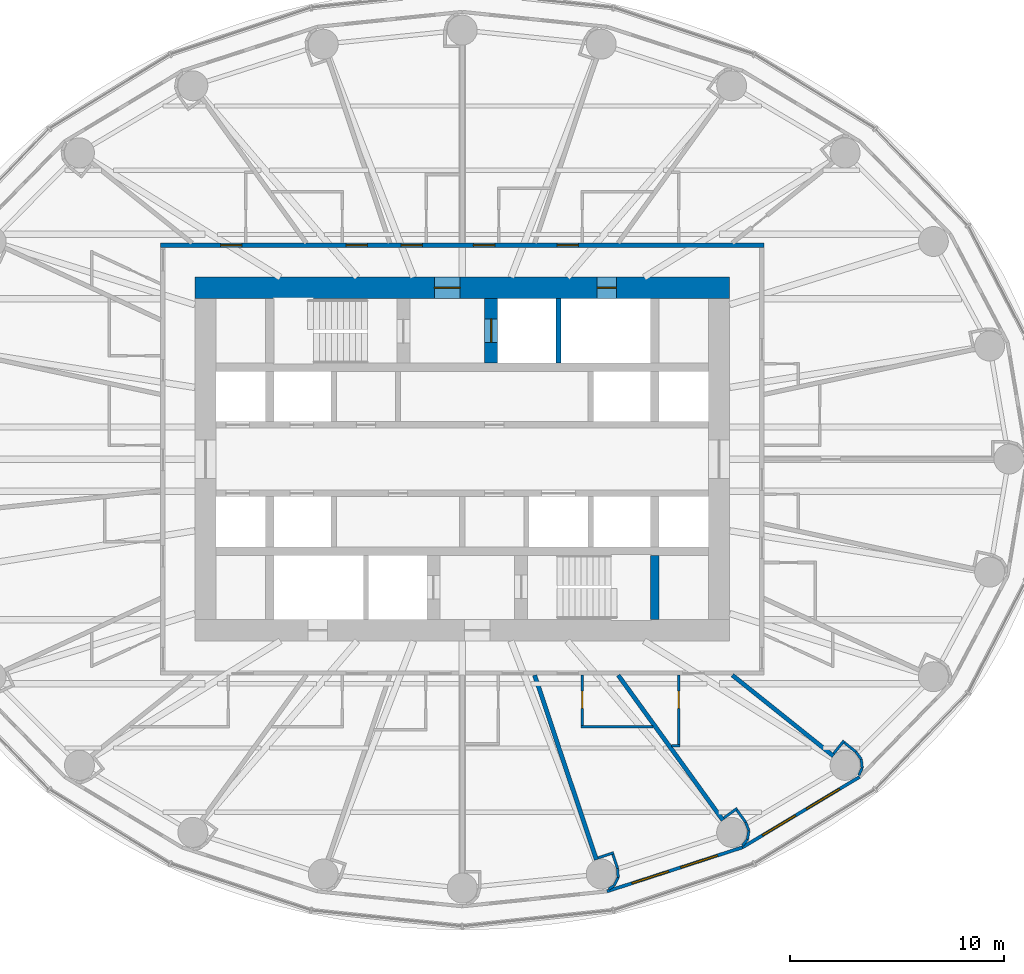
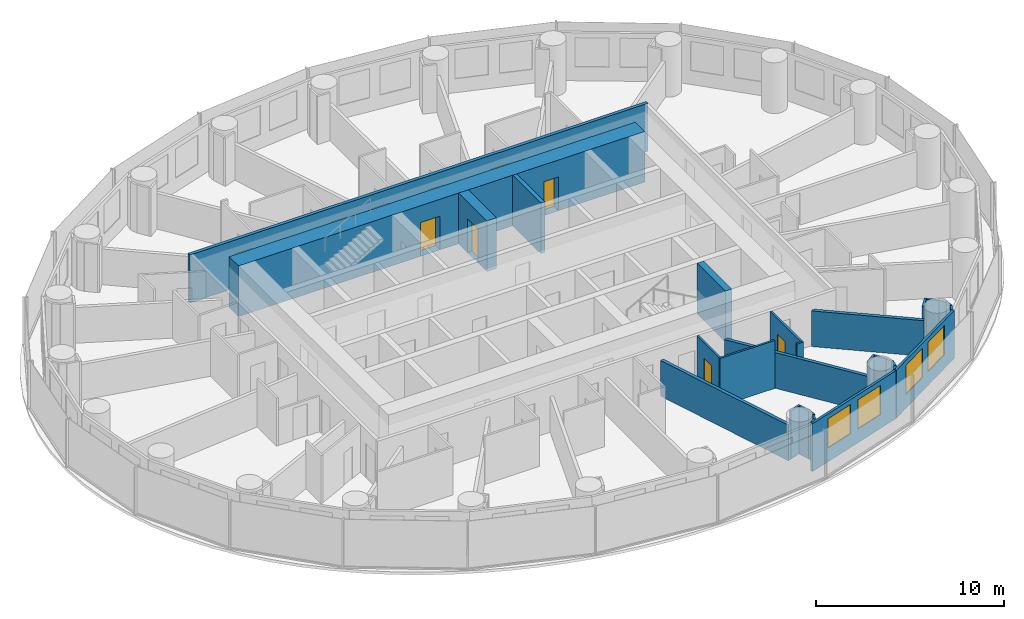
# One storey, part 9 of 14: 29 walls, 10 doors, 4 windows, 14 openings.
"""IFC4 building model written with IfcOpenShell, lengths in metres."""

from ifc_helpers import new_model, si_unit, direction, frame, frame_2d, origin, place, context, subcontext, project, spatial, rectangle, extrude, material, layer, layer_set, type_object, element, fill, save


model = new_model("IFC4")

# Units and contexts
model_context = context("Model", 3, precision=1e-05, world=origin(), true_north=direction((0.0, 1.0)))
body_context = subcontext(model_context, "Body", "Model", "MODEL_VIEW")
ifc_project = project(units=[si_unit("LENGTHUNIT", "METRE"), si_unit("AREAUNIT", "SQUARE_METRE"), si_unit("VOLUMEUNIT", "CUBIC_METRE"), si_unit("PLANEANGLEUNIT", "RADIAN"), si_unit("MASSUNIT", "GRAM", prefix="KILO")], contexts=[model_context])

# Site, building, storey
site_placement = place(None, origin())
site = spatial("IfcSite", under=ifc_project, at=site_placement, CompositionType="ELEMENT")
building_placement = place(site_placement, origin())
building = spatial("IfcBuilding", under=site, at=building_placement, Name="Hankou Lantern Tower", CompositionType="ELEMENT")
storey_placement = place(building_placement, frame((0.0, 0.0, 63.89990234375)))
storey = spatial("IfcBuildingStorey", under=building, at=storey_placement, Name="L15", CompositionType="ELEMENT", Elevation=63.89990234375)

# Wall, openings, doors
ifc_material_1 = material(Name="Concrete C60", Category="concrete")
ifc_layer_1 = layer(ifc_material_1, 1.0)
ifc_layer_set_1 = layer_set([ifc_layer_1], Name="Concrete C60")
wall_type_1 = type_object("IfcWallType", Name="CW1 CORE WALL 1000", PredefinedType="SHEAR", material=ifc_layer_set_1)
wall_1_placement = place(storey_placement, frame((-12.5, 8.0, 0.0), z_axis=(0.0, 0.0, 1.0), x_axis=(1.0, 0.0, 0.0)))
wall_1 = element("IfcWall", 1, at=wall_1_placement, inside=storey, type_object=wall_type_1, Name="Core wall north L15", PredefinedType="SHEAR", context=body_context, shape_type="SweptSolid", body=[
    extrude(rectangle(XDim=25.0, YDim=1.0, at=frame_2d((12.5, 0.0))), origin(), (0.0, 0.0, 1.0), 3.300048828125),
])
opening_1_placement = place(wall_1_placement, frame((11.199951171875, 0.0, 0.0)))
opening_1 = element("IfcOpeningElement", 2, at=opening_1_placement, cuts=wall_1, Name="Opening D5", PredefinedType="OPENING", context=body_context, shape_type="SweptSolid", body=[
    extrude(rectangle(XDim=1.199951171875, YDim=2.199951171875, at=frame_2d((0.60009765625, 1.10009765625))), frame((0.0, 0.510009765625, 0.0), z_axis=(0.0, -1.0, 0.0), x_axis=(1.0, 0.0, 0.0)), (0.0, 0.0, 1.0), 1.02001953125),
])
opening_2_placement = place(wall_1_placement, frame((18.800048828125, 0.0, 0.0)))
opening_2 = element("IfcOpeningElement", 3, at=opening_2_placement, cuts=wall_1, Name="Opening D7", PredefinedType="OPENING", context=body_context, shape_type="SweptSolid", body=[
    extrude(rectangle(XDim=0.89990234375, YDim=2.199951171875, at=frame_2d((0.449951171875, 1.10009765625))), frame((0.0, 0.510009765625, 0.0), z_axis=(0.0, -1.0, 0.0), x_axis=(1.0, 0.0, 0.0)), (0.0, 0.0, 1.0), 1.02001953125),
])
ifc_material_2 = material(Name="Steel door leaf", Category="steel")
door_type_1 = type_object("IfcDoorType", Name="D5 STAIR LOBBY DOOR 1200X2200", OperationType="SINGLE_SWING_LEFT", PredefinedType="DOOR", material=ifc_material_2)
door_1_placement = place(opening_1_placement, origin())
door_1 = element("IfcDoor", 4, at=door_1_placement, inside=storey, type_object=door_type_1, Name="Stair A lobby door", OperationType="SINGLE_SWING_LEFT", OverallHeight=2.199951171875, OverallWidth=1.199951171875, PredefinedType="DOOR", context=body_context, shape_type="SweptSolid", body=[
    extrude(rectangle(XDim=1.199951171875, YDim=2.199951171875, at=frame_2d((0.60009765625, 1.10009765625))), frame((0.0, 0.02490234375, 0.0), z_axis=(0.0, -1.0, 0.0), x_axis=(1.0, 0.0, 0.0)), (0.0, 0.0, 1.0), 0.050048828125),
])
fill(opening_1, door_1)
ifc_material_3 = material(Name="Steel door leaf", Category="steel")
door_type_2 = type_object("IfcDoorType", Name="D7 RISER DOOR 900X2200", OperationType="SINGLE_SWING_LEFT", PredefinedType="DOOR", material=ifc_material_3)
door_2_placement = place(opening_2_placement, origin())
door_2 = element("IfcDoor", 5, at=door_2_placement, inside=storey, type_object=door_type_2, Name="Riser N1 door", OperationType="SINGLE_SWING_RIGHT", OverallHeight=2.199951171875, OverallWidth=0.89990234375, PredefinedType="DOOR", context=body_context, shape_type="SweptSolid", body=[
    extrude(rectangle(XDim=0.89990234375, YDim=2.199951171875, at=frame_2d((0.449951171875, 1.10009765625))), frame((0.0, 0.02490234375, 0.0), z_axis=(0.0, -1.0, 0.0), x_axis=(1.0, 0.0, 0.0)), (0.0, 0.0, 1.0), 0.050048828125),
])
fill(opening_2, door_2)

# Wall
ifc_material_4 = material(Name="Concrete C60", Category="concrete")
ifc_layer_2 = layer(ifc_material_4, 0.39990234375)
ifc_layer_set_2 = layer_set([ifc_layer_2], Name="Concrete C60")
wall_type_2 = type_object("IfcWallType", Name="CW4 CORE CROSS WALL 400", PredefinedType="SHEAR", material=ifc_layer_set_2)
wall_2_placement = place(storey_placement, frame((9.0, -7.5, 0.0), z_axis=(0.0, 0.0, 1.0), x_axis=(0.0, 1.0, 0.0)))
element("IfcWall", 6, at=wall_2_placement, inside=storey, type_object=wall_type_2, Name="Core strip wall L15", PredefinedType="SHEAR", context=body_context, shape_type="SweptSolid", body=[
    extrude(rectangle(XDim=3.0, YDim=0.39990234375, at=frame_2d((1.5, 0.0))), origin(), (0.0, 0.0, 1.0), 3.300048828125),
])

# Wall, opening, door
ifc_material_5 = material(Name="Concrete C60", Category="concrete")
ifc_layer_3 = layer(ifc_material_5, 0.60009765625)
ifc_layer_set_3 = layer_set([ifc_layer_3], Name="Concrete C60")
wall_type_3 = type_object("IfcWallType", Name="CW6 STAIR AND SHAFT WALL 600", PredefinedType="SHEAR", material=ifc_layer_set_3)
wall_3_placement = place(storey_placement, frame((1.35009765625, 4.5, 0.0), z_axis=(0.0, 0.0, 1.0), x_axis=(0.0, 1.0, 0.0)))
wall_3 = element("IfcWall", 7, at=wall_3_placement, inside=storey, type_object=wall_type_3, Name="Firefighting lift shaft wall L15", PredefinedType="SHEAR", context=body_context, shape_type="SweptSolid", body=[
    extrude(rectangle(XDim=3.0, YDim=0.60009765625, at=frame_2d((1.5, 0.0))), origin(), (0.0, 0.0, 1.0), 3.300048828125),
])
opening_3_placement = place(wall_3_placement, frame((0.949951171875, 0.0, 0.0)))
opening_3 = element("IfcOpeningElement", 8, at=opening_3_placement, cuts=wall_3, Name="Opening LD2", PredefinedType="OPENING", context=body_context, shape_type="SweptSolid", body=[
    extrude(rectangle(XDim=1.10009765625, YDim=2.199951171875, at=frame_2d((0.550048828125, 1.10009765625))), frame((0.0, 0.31005859375, 0.0), z_axis=(0.0, -1.0, 0.0), x_axis=(1.0, 0.0, 0.0)), (0.0, 0.0, 1.0), 0.6201171875),
])
ifc_material_6 = material(Name="Steel door leaf", Category="steel")
door_type_3 = type_object("IfcDoorType", Name="LD2 FIREFIGHTING LIFT LANDING DOOR 1100X2200", OperationType="DOUBLE_DOOR_SLIDING", PredefinedType="DOOR", material=ifc_material_6)
door_3_placement = place(opening_3_placement, origin())
door_3 = element("IfcDoor", 9, at=door_3_placement, inside=storey, type_object=door_type_3, Name="Firefighting lift FL1 landing door", OperationType="DOUBLE_DOOR_SLIDING", OverallHeight=2.199951171875, OverallWidth=1.10009765625, PredefinedType="DOOR", context=body_context, shape_type="SweptSolid", body=[
    extrude(rectangle(XDim=1.10009765625, YDim=2.199951171875, at=frame_2d((0.550048828125, 1.10009765625))), frame((0.0, 0.02490234375, 0.0), z_axis=(0.0, -1.0, 0.0), x_axis=(1.0, 0.0, 0.0)), (0.0, 0.0, 1.0), 0.050048828125),
])
fill(opening_3, door_3)

# Wall, openings, windows
ifc_material_7 = material(Name="Aluminium spandrel panel on steel studs", Category="steel")
ifc_layer_4 = layer(ifc_material_7, 0.14990234375)
ifc_layer_set_4 = layer_set([ifc_layer_4], Name="Aluminium spandrel panel on steel studs")
wall_type_4 = type_object("IfcWallType", Name="EW1 INNER SKIN WALL 150", PredefinedType="ELEMENTEDWALL", material=ifc_layer_set_4)
wall_4_placement = place(storey_placement, frame((6.766357421875, -20.201904296875, 0.0), z_axis=(0.0, 0.0, 1.0), x_axis=(0.951137534625, 0.308767534285, 0.0)))
wall_4 = element("IfcWall", 10, at=wall_4_placement, inside=storey, type_object=wall_type_4, Name="Inner skin R20-R21 L15", PredefinedType="ELEMENTEDWALL", context=body_context, shape_type="SweptSolid", body=[
    extrude(rectangle(XDim=6.6552734375, YDim=0.14990234375, at=frame_2d((3.32763671875, 0.0))), origin(), (0.0, 0.0, 1.0), 3.1201171875),
])
opening_4_placement = place(wall_4_placement, frame((1.2275390625, 0.0, 0.89990234375)))
opening_4 = element("IfcOpeningElement", 11, at=opening_4_placement, cuts=wall_4, Name="Opening W1", PredefinedType="OPENING", context=body_context, shape_type="SweptSolid", body=[
    extrude(rectangle(XDim=1.800048828125, YDim=1.89990234375, at=frame_2d((0.89990234375, 0.949951171875))), frame((0.0, 0.0849609375, 0.0), z_axis=(0.0, -1.0, 0.0), x_axis=(1.0, 0.0, 0.0)), (0.0, 0.0, 1.0), 0.169921875),
])
opening_5_placement = place(wall_4_placement, frame((3.627685546875, 0.0, 0.89990234375)))
opening_5 = element("IfcOpeningElement", 12, at=opening_5_placement, cuts=wall_4, Name="Opening W1", PredefinedType="OPENING", context=body_context, shape_type="SweptSolid", body=[
    extrude(rectangle(XDim=1.800048828125, YDim=1.89990234375, at=frame_2d((0.89990234375, 0.949951171875))), frame((0.0, 0.0849609375, 0.0), z_axis=(0.0, -1.0, 0.0), x_axis=(1.0, 0.0, 0.0)), (0.0, 0.0, 1.0), 0.169921875),
])
ifc_material_8 = material(Name="Aluminium framed double glazed window", Category="aluminium")
window_type = type_object("IfcWindowType", Name="W1 GUEST ROOM WINDOW 1800X1900", PartitioningType="DOUBLE_PANEL_VERTICAL", PredefinedType="WINDOW", material=ifc_material_8)
window_1_placement = place(opening_4_placement, origin())
window_1 = element("IfcWindow", 13, at=window_1_placement, inside=storey, type_object=window_type, Name="Window R20.1 L15", OverallHeight=1.89990234375, OverallWidth=1.800048828125, PartitioningType="SINGLE_PANEL", PredefinedType="WINDOW", context=body_context, shape_type="SweptSolid", body=[
    extrude(rectangle(XDim=1.800048828125, YDim=1.89990234375, at=frame_2d((0.89990234375, 0.949951171875))), frame((0.0, 0.030029296875, 0.0), z_axis=(0.0, -1.0, 0.0), x_axis=(1.0, 0.0, 0.0)), (0.0, 0.0, 1.0), 0.06005859375),
])
fill(opening_4, window_1)
window_2_placement = place(opening_5_placement, origin())
window_2 = element("IfcWindow", 14, at=window_2_placement, inside=storey, type_object=window_type, Name="Window R20.2 L15", OverallHeight=1.89990234375, OverallWidth=1.800048828125, PartitioningType="SINGLE_PANEL", PredefinedType="WINDOW", context=body_context, shape_type="SweptSolid", body=[
    extrude(rectangle(XDim=1.800048828125, YDim=1.89990234375, at=frame_2d((0.89990234375, 0.949951171875))), frame((0.0, 0.030029296875, 0.0), z_axis=(0.0, -1.0, 0.0), x_axis=(1.0, 0.0, 0.0)), (0.0, 0.0, 1.0), 0.06005859375),
])
fill(opening_5, window_2)

wall_5_placement = place(storey_placement, frame((13.096435546875, -18.14697265625, 0.0), z_axis=(0.0, 0.0, 1.0), x_axis=(0.856983180864, 0.515344377787, 0.0)))
wall_5 = element("IfcWall", 15, at=wall_5_placement, inside=storey, type_object=wall_type_4, Name="Inner skin R21-R22 L15", PredefinedType="ELEMENTEDWALL", context=body_context, shape_type="SweptSolid", body=[
    extrude(rectangle(XDim=6.386474609375, YDim=0.14990234375, at=frame_2d((3.193359375, 0.0))), origin(), (0.0, 0.0, 1.0), 3.1201171875),
])
opening_6_placement = place(wall_5_placement, frame((1.09326171875, 0.0, 0.89990234375)))
opening_6 = element("IfcOpeningElement", 16, at=opening_6_placement, cuts=wall_5, Name="Opening W1", PredefinedType="OPENING", context=body_context, shape_type="SweptSolid", body=[
    extrude(rectangle(XDim=1.800048828125, YDim=1.89990234375, at=frame_2d((0.89990234375, 0.949951171875))), frame((0.0, 0.0849609375, 0.0), z_axis=(0.0, -1.0, 0.0), x_axis=(1.0, 0.0, 0.0)), (0.0, 0.0, 1.0), 0.169921875),
])
opening_7_placement = place(wall_5_placement, frame((3.4931640625, 0.0, 0.89990234375)))
opening_7 = element("IfcOpeningElement", 17, at=opening_7_placement, cuts=wall_5, Name="Opening W1", PredefinedType="OPENING", context=body_context, shape_type="SweptSolid", body=[
    extrude(rectangle(XDim=1.800048828125, YDim=1.89990234375, at=frame_2d((0.89990234375, 0.949951171875))), frame((0.0, 0.0849609375, 0.0), z_axis=(0.0, -1.0, 0.0), x_axis=(1.0, 0.0, 0.0)), (0.0, 0.0, 1.0), 0.169921875),
])
window_3_placement = place(opening_6_placement, origin())
window_3 = element("IfcWindow", 18, at=window_3_placement, inside=storey, type_object=window_type, Name="Window R21.1 L15", OverallHeight=1.89990234375, OverallWidth=1.800048828125, PartitioningType="SINGLE_PANEL", PredefinedType="WINDOW", context=body_context, shape_type="SweptSolid", body=[
    extrude(rectangle(XDim=1.800048828125, YDim=1.89990234375, at=frame_2d((0.89990234375, 0.949951171875))), frame((0.0, 0.030029296875, 0.0), z_axis=(0.0, -1.0, 0.0), x_axis=(1.0, 0.0, 0.0)), (0.0, 0.0, 1.0), 0.06005859375),
])
fill(opening_6, window_3)
window_4_placement = place(opening_7_placement, origin())
window_4 = element("IfcWindow", 19, at=window_4_placement, inside=storey, type_object=window_type, Name="Window R21.2 L15", OverallHeight=1.89990234375, OverallWidth=1.800048828125, PartitioningType="SINGLE_PANEL", PredefinedType="WINDOW", context=body_context, shape_type="SweptSolid", body=[
    extrude(rectangle(XDim=1.800048828125, YDim=1.89990234375, at=frame_2d((0.89990234375, 0.949951171875))), frame((0.0, 0.030029296875, 0.0), z_axis=(0.0, -1.0, 0.0), x_axis=(1.0, 0.0, 0.0)), (0.0, 0.0, 1.0), 0.06005859375),
])
fill(opening_7, window_4)

# Walls
ifc_material_9 = material(Name="Masonry lightweight concrete block", Category="masonry")
ifc_layer_5 = layer(ifc_material_9, 0.199951171875)
ifc_layer_set_5 = layer_set([ifc_layer_5], Name="Masonry lightweight concrete block")
wall_type_5 = type_object("IfcWallType", Name="IW1 GUEST ROOM PARTY WALL 200", PredefinedType="PARTITIONING", material=ifc_layer_set_5)
wall_6_placement = place(storey_placement, frame((3.3828125, -10.10009765625, 0.0), z_axis=(0.0, 0.0, 1.0), x_axis=(0.31759592231, -0.948226149256, 0.0)))
element("IfcWall", 20, at=wall_6_placement, inside=storey, type_object=wall_type_5, Name="Party wall R20", PredefinedType="PARTITIONING", context=body_context, shape_type="SweptSolid", body=[
    extrude(rectangle(XDim=9.098388671875, YDim=0.199951171875, at=frame_2d((4.54931640625, 0.0))), origin(), (0.0, 0.0, 1.0), 2.320068359375),
])
wall_7_placement = place(storey_placement, frame((7.2890625, -10.10009765625, 0.0), z_axis=(0.0, 0.0, 1.0), x_axis=(0.585198353053, -0.810890182197, 0.0)))
element("IfcWall", 21, at=wall_7_placement, inside=storey, type_object=wall_type_5, Name="Party wall R21", PredefinedType="PARTITIONING", context=body_context, shape_type="SweptSolid", body=[
    extrude(rectangle(XDim=8.359619140625, YDim=0.199951171875, at=frame_2d((4.1796875, 0.0))), origin(), (0.0, 0.0, 1.0), 2.320068359375),
])
wall_8_placement = place(storey_placement, frame((12.625, -10.10009765625, 0.0), z_axis=(0.0, 0.0, 1.0), x_axis=(0.780892451574, -0.624665493744, 0.0)))
element("IfcWall", 22, at=wall_8_placement, inside=storey, type_object=wall_type_5, Name="Party wall R22", PredefinedType="PARTITIONING", context=body_context, shape_type="SweptSolid", body=[
    extrude(rectangle(XDim=6.044677734375, YDim=0.199951171875, at=frame_2d((3.0224609375, 0.0))), origin(), (0.0, 0.0, 1.0), 2.320068359375),
])

# Wall, openings, doors
ifc_material_10 = material(Name="Masonry lightweight concrete block", Category="masonry")
ifc_layer_6 = layer(ifc_material_10, 0.199951171875)
ifc_layer_set_6 = layer_set([ifc_layer_6], Name="Masonry lightweight concrete block")
wall_type_6 = type_object("IfcWallType", Name="IW2 CORRIDOR WALL 200", PredefinedType="PARTITIONING", material=ifc_layer_set_6)
wall_9_placement = place(storey_placement, frame((-14.10009765625, 10.0, 0.0), z_axis=(0.0, 0.0, 1.0), x_axis=(1.0, 0.0, 0.0)))
wall_9 = element("IfcWall", 23, at=wall_9_placement, inside=storey, type_object=wall_type_6, Name="Corridor wall north", PredefinedType="PARTITIONING", context=body_context, shape_type="SweptSolid", body=[
    extrude(rectangle(XDim=28.2001953125, YDim=0.199951171875, at=frame_2d((14.10009765625, 0.0))), origin(), (0.0, 0.0, 1.0), 3.1201171875),
])
opening_8_placement = place(wall_9_placement, frame((18.529052734375, 0.0, 0.0)))
opening_8 = element("IfcOpeningElement", 24, at=opening_8_placement, cuts=wall_9, Name="Opening D1", PredefinedType="OPENING", context=body_context, shape_type="SweptSolid", body=[
    extrude(rectangle(XDim=1.0, YDim=2.199951171875, at=frame_2d((0.5, 1.10009765625))), frame((0.0, 0.10986328125, 0.0), z_axis=(0.0, -1.0, 0.0), x_axis=(1.0, 0.0, 0.0)), (0.0, 0.0, 1.0), 0.219970703125),
])
opening_9_placement = place(wall_9_placement, frame((14.622802734375, 0.0, 0.0)))
opening_9 = element("IfcOpeningElement", 25, at=opening_9_placement, cuts=wall_9, Name="Opening D1", PredefinedType="OPENING", context=body_context, shape_type="SweptSolid", body=[
    extrude(rectangle(XDim=1.0, YDim=2.199951171875, at=frame_2d((0.5, 1.10009765625))), frame((0.0, 0.10986328125, 0.0), z_axis=(0.0, -1.0, 0.0), x_axis=(1.0, 0.0, 0.0)), (0.0, 0.0, 1.0), 0.219970703125),
])
opening_10_placement = place(wall_9_placement, frame((11.239990234375, 0.0, 0.0)))
opening_10 = element("IfcOpeningElement", 26, at=opening_10_placement, cuts=wall_9, Name="Opening D1", PredefinedType="OPENING", context=body_context, shape_type="SweptSolid", body=[
    extrude(rectangle(XDim=1.0, YDim=2.199951171875, at=frame_2d((0.5, 1.10009765625))), frame((0.0, 0.10986328125, 0.0), z_axis=(0.0, -1.0, 0.0), x_axis=(1.0, 0.0, 0.0)), (0.0, 0.0, 1.0), 0.219970703125),
])
opening_11_placement = place(wall_9_placement, frame((8.6708984375, 0.0, 0.0)))
opening_11 = element("IfcOpeningElement", 27, at=opening_11_placement, cuts=wall_9, Name="Opening D1", PredefinedType="OPENING", context=body_context, shape_type="SweptSolid", body=[
    extrude(rectangle(XDim=1.0, YDim=2.199951171875, at=frame_2d((0.5, 1.10009765625))), frame((0.0, 0.10986328125, 0.0), z_axis=(0.0, -1.0, 0.0), x_axis=(1.0, 0.0, 0.0)), (0.0, 0.0, 1.0), 0.219970703125),
])
opening_12_placement = place(wall_9_placement, frame((2.801025390625, 0.0, 0.0)))
opening_12 = element("IfcOpeningElement", 28, at=opening_12_placement, cuts=wall_9, Name="Opening D1", PredefinedType="OPENING", context=body_context, shape_type="SweptSolid", body=[
    extrude(rectangle(XDim=1.0, YDim=2.199951171875, at=frame_2d((0.5, 1.10009765625))), frame((0.0, 0.10986328125, 0.0), z_axis=(0.0, -1.0, 0.0), x_axis=(1.0, 0.0, 0.0)), (0.0, 0.0, 1.0), 0.219970703125),
])
ifc_material_11 = material(Name="Steel door leaf", Category="steel")
door_type_4 = type_object("IfcDoorType", Name="D1 GUEST ROOM DOOR 1000X2200", OperationType="SINGLE_SWING_LEFT", PredefinedType="DOOR", material=ifc_material_11)
door_4_placement = place(opening_8_placement, origin())
door_4 = element("IfcDoor", 29, at=door_4_placement, inside=storey, type_object=door_type_4, Name="Guest room door 1505", OperationType="SINGLE_SWING_RIGHT", OverallHeight=2.199951171875, OverallWidth=1.0, PredefinedType="DOOR", context=body_context, shape_type="SweptSolid", body=[
    extrude(rectangle(XDim=1.0, YDim=2.199951171875, at=frame_2d((0.5, 1.10009765625))), frame((0.0, 0.02490234375, 0.0), z_axis=(0.0, -1.0, 0.0), x_axis=(1.0, 0.0, 0.0)), (0.0, 0.0, 1.0), 0.050048828125),
])
fill(opening_8, door_4)
door_5_placement = place(opening_9_placement, origin())
door_5 = element("IfcDoor", 30, at=door_5_placement, inside=storey, type_object=door_type_4, Name="Guest room door 1506", OperationType="SINGLE_SWING_RIGHT", OverallHeight=2.199951171875, OverallWidth=1.0, PredefinedType="DOOR", context=body_context, shape_type="SweptSolid", body=[
    extrude(rectangle(XDim=1.0, YDim=2.199951171875, at=frame_2d((0.5, 1.10009765625))), frame((0.0, 0.02490234375, 0.0), z_axis=(0.0, -1.0, 0.0), x_axis=(1.0, 0.0, 0.0)), (0.0, 0.0, 1.0), 0.050048828125),
])
fill(opening_9, door_5)
door_6_placement = place(opening_10_placement, origin())
door_6 = element("IfcDoor", 31, at=door_6_placement, inside=storey, type_object=door_type_4, Name="Guest room door 1507", OperationType="SINGLE_SWING_RIGHT", OverallHeight=2.199951171875, OverallWidth=1.0, PredefinedType="DOOR", context=body_context, shape_type="SweptSolid", body=[
    extrude(rectangle(XDim=1.0, YDim=2.199951171875, at=frame_2d((0.5, 1.10009765625))), frame((0.0, 0.02490234375, 0.0), z_axis=(0.0, -1.0, 0.0), x_axis=(1.0, 0.0, 0.0)), (0.0, 0.0, 1.0), 0.050048828125),
])
fill(opening_10, door_6)
door_7_placement = place(opening_11_placement, origin())
door_7 = element("IfcDoor", 32, at=door_7_placement, inside=storey, type_object=door_type_4, Name="Guest room door 1508", OperationType="SINGLE_SWING_LEFT", OverallHeight=2.199951171875, OverallWidth=1.0, PredefinedType="DOOR", context=body_context, shape_type="SweptSolid", body=[
    extrude(rectangle(XDim=1.0, YDim=2.199951171875, at=frame_2d((0.5, 1.10009765625))), frame((0.0, 0.02490234375, 0.0), z_axis=(0.0, -1.0, 0.0), x_axis=(1.0, 0.0, 0.0)), (0.0, 0.0, 1.0), 0.050048828125),
])
fill(opening_11, door_7)
door_8_placement = place(opening_12_placement, origin())
door_8 = element("IfcDoor", 33, at=door_8_placement, inside=storey, type_object=door_type_4, Name="Guest room door 1509", OperationType="SINGLE_SWING_RIGHT", OverallHeight=2.199951171875, OverallWidth=1.0, PredefinedType="DOOR", context=body_context, shape_type="SweptSolid", body=[
    extrude(rectangle(XDim=1.0, YDim=2.199951171875, at=frame_2d((0.5, 1.10009765625))), frame((0.0, 0.02490234375, 0.0), z_axis=(0.0, -1.0, 0.0), x_axis=(1.0, 0.0, 0.0)), (0.0, 0.0, 1.0), 0.050048828125),
])
fill(opening_12, door_8)

# Wall
ifc_material_12 = material(Name="Masonry lightweight concrete block", Category="masonry")
ifc_layer_7 = layer(ifc_material_12, 0.1201171875)
ifc_layer_set_7 = layer_set([ifc_layer_7], Name="Masonry lightweight concrete block")
wall_type_7 = type_object("IfcWallType", Name="IW3 BATHROOM WALL 120", PredefinedType="PARTITIONING", material=ifc_layer_set_7)
wall_10_placement = place(storey_placement, frame((8.921142578125, -12.5, 0.0), z_axis=(0.0, 0.0, 1.0), x_axis=(-1.0, 0.0, 0.0)))
element("IfcWall", 34, at=wall_10_placement, inside=storey, type_object=wall_type_7, Name="Box wall 1519 1", PredefinedType="PARTITIONING", context=body_context, shape_type="SweptSolid", body=[
    extrude(rectangle(XDim=3.3720703125, YDim=0.1201171875, at=frame_2d((1.68603515625, 0.0))), origin(), (0.0, 0.0, 1.0), 3.1201171875),
])

# Wall, opening, door
wall_11_placement = place(storey_placement, frame((5.609130859375, -10.10009765625, 0.0), z_axis=(0.0, 0.0, 1.0), x_axis=(0.0, -1.0, 0.0)))
wall_11 = element("IfcWall", 35, at=wall_11_placement, inside=storey, type_object=wall_type_7, Name="Box wall 1519 1", PredefinedType="PARTITIONING", context=body_context, shape_type="SweptSolid", body=[
    extrude(rectangle(XDim=2.33984375, YDim=0.1201171875, at=frame_2d((1.169921875, 0.0))), origin(), (0.0, 0.0, 1.0), 3.1201171875),
])
opening_13_placement = place(wall_11_placement, frame((0.75, 0.0, 0.0)))
opening_13 = element("IfcOpeningElement", 36, at=opening_13_placement, cuts=wall_11, Name="Opening D3", PredefinedType="OPENING", context=body_context, shape_type="SweptSolid", body=[
    extrude(rectangle(XDim=0.800048828125, YDim=2.10009765625, at=frame_2d((0.39990234375, 1.050048828125))), frame((0.0, 0.070068359375, 0.0), z_axis=(0.0, -1.0, 0.0), x_axis=(1.0, 0.0, 0.0)), (0.0, 0.0, 1.0), 0.14013671875),
])
ifc_material_13 = material(Name="Timber door leaf", Category="wood")
door_type_5 = type_object("IfcDoorType", Name="D3 BATHROOM DOOR 800X2100", OperationType="SINGLE_SWING_LEFT", PredefinedType="DOOR", material=ifc_material_13)
door_9_placement = place(opening_13_placement, origin())
door_9 = element("IfcDoor", 37, at=door_9_placement, inside=storey, type_object=door_type_5, Name="En-suite bathroom 1519 door", OperationType="SINGLE_SWING_LEFT", OverallHeight=2.10009765625, OverallWidth=0.800048828125, PredefinedType="DOOR", context=body_context, shape_type="SweptSolid", body=[
    extrude(rectangle(XDim=0.800048828125, YDim=2.10009765625, at=frame_2d((0.39990234375, 1.050048828125))), frame((0.0, 0.02490234375, 0.0), z_axis=(0.0, -1.0, 0.0), x_axis=(1.0, 0.0, 0.0)), (0.0, 0.0, 1.0), 0.050048828125),
])
fill(opening_13, door_9)

# Wall
wall_12_placement = place(storey_placement, frame((9.7705078125, -13.39990234375, 0.0), z_axis=(0.0, 0.0, 1.0), x_axis=(1.0, 0.0, 0.0)))
element("IfcWall", 38, at=wall_12_placement, inside=storey, type_object=wall_type_7, Name="Box wall 1520 1", PredefinedType="PARTITIONING", context=body_context, shape_type="SweptSolid", body=[
    extrude(rectangle(XDim=0.408447265625, YDim=0.1201171875, at=frame_2d((0.2041015625, 0.0))), origin(), (0.0, 0.0, 1.0), 3.1201171875),
])

# Wall, opening, door
wall_13_placement = place(storey_placement, frame((10.119140625, -10.10009765625, 0.0), z_axis=(0.0, 0.0, 1.0), x_axis=(0.0, -1.0, 0.0)))
wall_13 = element("IfcWall", 39, at=wall_13_placement, inside=storey, type_object=wall_type_7, Name="Box wall 1520 1", PredefinedType="PARTITIONING", context=body_context, shape_type="SweptSolid", body=[
    extrude(rectangle(XDim=3.239990234375, YDim=0.1201171875, at=frame_2d((1.6201171875, 0.0))), origin(), (0.0, 0.0, 1.0), 3.1201171875),
])
opening_14_placement = place(wall_13_placement, frame((0.75, 0.0, 0.0)))
opening_14 = element("IfcOpeningElement", 40, at=opening_14_placement, cuts=wall_13, Name="Opening D3", PredefinedType="OPENING", context=body_context, shape_type="SweptSolid", body=[
    extrude(rectangle(XDim=0.800048828125, YDim=2.10009765625, at=frame_2d((0.39990234375, 1.050048828125))), frame((0.0, 0.070068359375, 0.0), z_axis=(0.0, -1.0, 0.0), x_axis=(1.0, 0.0, 0.0)), (0.0, 0.0, 1.0), 0.14013671875),
])
door_10_placement = place(opening_14_placement, origin())
door_10 = element("IfcDoor", 41, at=door_10_placement, inside=storey, type_object=door_type_5, Name="En-suite bathroom 1520 door", OperationType="SINGLE_SWING_LEFT", OverallHeight=2.10009765625, OverallWidth=0.800048828125, PredefinedType="DOOR", context=body_context, shape_type="SweptSolid", body=[
    extrude(rectangle(XDim=0.800048828125, YDim=2.10009765625, at=frame_2d((0.39990234375, 1.050048828125))), frame((0.0, 0.02490234375, 0.0), z_axis=(0.0, -1.0, 0.0), x_axis=(1.0, 0.0, 0.0)), (0.0, 0.0, 1.0), 0.050048828125),
])
fill(opening_14, door_10)

# Walls
ifc_material_14 = material(Name="Masonry lightweight concrete block", Category="masonry")
ifc_layer_8 = layer(ifc_material_14, 0.1201171875)
ifc_layer_set_8 = layer_set([ifc_layer_8], Name="Masonry lightweight concrete block")
wall_type_8 = type_object("IfcWallType", Name="IW4 PARTITION 120", PredefinedType="PARTITIONING", material=ifc_layer_set_8)
wall_14_placement = place(storey_placement, frame((6.348388671875, -18.638916015625, 0.0), z_axis=(0.0, 0.0, 1.0), x_axis=(0.948268951266, 0.317468102437, 0.0)))
element("IfcWall", 42, at=wall_14_placement, inside=storey, type_object=wall_type_8, Name="Column casing R20 return", PredefinedType="PARTITIONING", context=body_context, shape_type="SweptSolid", body=[
    extrude(rectangle(XDim=0.767578125, YDim=0.1201171875, at=frame_2d((0.3837890625, 0.0))), origin(), (0.0, 0.0, 1.0), 3.1201171875),
])
wall_15_placement = place(storey_placement, frame((7.038330078125, -18.47119140625, 0.0), z_axis=(0.0, 0.0, 1.0), x_axis=(0.317378466199, -0.9482989556, 0.0)))
element("IfcWall", 43, at=wall_15_placement, inside=storey, type_object=wall_type_8, Name="Column casing R20", PredefinedType="PARTITIONING", context=body_context, shape_type="SweptSolid", body=[
    extrude(rectangle(XDim=0.699951171875, YDim=0.1201171875, at=frame_2d((0.35009765625, 0.0))), origin(), (0.0, 0.0, 1.0), 3.1201171875),
])
wall_16_placement = place(storey_placement, frame((7.260498046875, -19.135009765625, 0.0), z_axis=(0.0, 0.0, 1.0), x_axis=(0.0613238046, -0.99811792439, 0.0)))
element("IfcWall", 44, at=wall_16_placement, inside=storey, type_object=wall_type_8, Name="Column casing R20", PredefinedType="PARTITIONING", context=body_context, shape_type="SweptSolid", body=[
    extrude(rectangle(XDim=0.41796875, YDim=0.1201171875, at=frame_2d((0.208984375, 0.0))), origin(), (0.0, 0.0, 1.0), 3.1201171875),
])
wall_17_placement = place(storey_placement, frame((7.2861328125, -19.55224609375, 0.0), z_axis=(0.0, 0.0, 1.0), x_axis=(-0.445810757773, -0.89512723579, 0.0)))
element("IfcWall", 45, at=wall_17_placement, inside=storey, type_object=wall_type_8, Name="Column casing R20", PredefinedType="PARTITIONING", context=body_context, shape_type="SweptSolid", body=[
    extrude(rectangle(XDim=0.417724609375, YDim=0.1201171875, at=frame_2d((0.208984375, 0.0))), origin(), (0.0, 0.0, 1.0), 3.1201171875),
])
wall_18_placement = place(storey_placement, frame((7.099853515625, -19.92626953125, 0.0), z_axis=(0.0, 0.0, 1.0), x_axis=(-0.833488262509, -0.552537162787, 0.0)))
element("IfcWall", 46, at=wall_18_placement, inside=storey, type_object=wall_type_8, Name="Column casing R20", PredefinedType="PARTITIONING", context=body_context, shape_type="SweptSolid", body=[
    extrude(rectangle(XDim=0.312744140625, YDim=0.1201171875, at=frame_2d((0.15625, 0.0))), origin(), (0.0, 0.0, 1.0), 3.1201171875),
])
wall_19_placement = place(storey_placement, frame((12.227294921875, -16.771728515625, 0.0), z_axis=(0.0, 0.0, 1.0), x_axis=(0.810821798253, 0.585293098778, 0.0)))
element("IfcWall", 47, at=wall_19_placement, inside=storey, type_object=wall_type_8, Name="Column casing R21 return", PredefinedType="PARTITIONING", context=body_context, shape_type="SweptSolid", body=[
    extrude(rectangle(XDim=0.767578125, YDim=0.1201171875, at=frame_2d((0.3837890625, 0.0))), origin(), (0.0, 0.0, 1.0), 3.1201171875),
])
wall_20_placement = place(storey_placement, frame((12.8359375, -16.40625, 0.0), z_axis=(0.0, 0.0, 1.0), x_axis=(0.585223113993, -0.810872312296, 0.0)))
element("IfcWall", 48, at=wall_20_placement, inside=storey, type_object=wall_type_8, Name="Column casing R21", PredefinedType="PARTITIONING", context=body_context, shape_type="SweptSolid", body=[
    extrude(rectangle(XDim=0.699951171875, YDim=0.1201171875, at=frame_2d((0.35009765625, 0.0))), origin(), (0.0, 0.0, 1.0), 3.1201171875),
])
wall_21_placement = place(storey_placement, frame((13.24560546875, -16.973876953125, 0.0), z_axis=(0.0, 0.0, 1.0), x_axis=(0.355728122235, -0.934589483705, 0.0)))
element("IfcWall", 49, at=wall_21_placement, inside=storey, type_object=wall_type_8, Name="Column casing R21", PredefinedType="PARTITIONING", context=body_context, shape_type="SweptSolid", body=[
    extrude(rectangle(XDim=0.41796875, YDim=0.1201171875, at=frame_2d((0.208984375, 0.0))), origin(), (0.0, 0.0, 1.0), 3.1201171875),
])
wall_22_placement = place(storey_placement, frame((13.394287109375, -17.364501953125, 0.0), z_axis=(0.0, 0.0, 1.0), x_axis=(-0.159379276926, -0.987217425943, 0.0)))
element("IfcWall", 50, at=wall_22_placement, inside=storey, type_object=wall_type_8, Name="Column casing R21", PredefinedType="PARTITIONING", context=body_context, shape_type="SweptSolid", body=[
    extrude(rectangle(XDim=0.418212890625, YDim=0.1201171875, at=frame_2d((0.208984375, 0.0))), origin(), (0.0, 0.0, 1.0), 3.1201171875),
])
wall_23_placement = place(storey_placement, frame((13.32763671875, -17.77734375, 0.0), z_axis=(0.0, 0.0, 1.0), x_axis=(-0.632276783541, -0.774742582407, 0.0)))
element("IfcWall", 51, at=wall_23_placement, inside=storey, type_object=wall_type_8, Name="Column casing R21", PredefinedType="PARTITIONING", context=body_context, shape_type="SweptSolid", body=[
    extrude(rectangle(XDim=0.35986328125, YDim=0.1201171875, at=frame_2d((0.179931640625, 0.0))), origin(), (0.0, 0.0, 1.0), 3.1201171875),
])
wall_24_placement = place(storey_placement, frame((17.36083984375, -13.760498046875, 0.0), z_axis=(0.0, 0.0, 1.0), x_axis=(0.624501042889, 0.781023973659, 0.0)))
element("IfcWall", 52, at=wall_24_placement, inside=storey, type_object=wall_type_8, Name="Column casing R22 return", PredefinedType="PARTITIONING", context=body_context, shape_type="SweptSolid", body=[
    extrude(rectangle(XDim=0.767333984375, YDim=0.1201171875, at=frame_2d((0.3837890625, 0.0))), origin(), (0.0, 0.0, 1.0), 3.1201171875),
])
wall_25_placement = place(storey_placement, frame((17.849609375, -13.24560546875, 0.0), z_axis=(0.0, 0.0, 1.0), x_axis=(0.780902834923, -0.62465251333, 0.0)))
element("IfcWall", 53, at=wall_25_placement, inside=storey, type_object=wall_type_8, Name="Column casing R22", PredefinedType="PARTITIONING", context=body_context, shape_type="SweptSolid", body=[
    extrude(rectangle(XDim=0.699951171875, YDim=0.1201171875, at=frame_2d((0.35009765625, 0.0))), origin(), (0.0, 0.0, 1.0), 3.1201171875),
])
for number, where, z_axis, x_axis, name in (
    (54, (18.396240234375, -13.682861328125, 0.0), (0.0, 0.0, 1.0), (0.592401603461, -0.805642811807, 0.0), "Column casing R22"),
    (55, (18.643798828125, -14.01953125, 0.0), (0.0, 0.0, 1.0), (0.110367433259, -0.993890854006, 0.0), "Column casing R22"),
):
    element("IfcWall", number, at=place(storey_placement, frame(where, z_axis=z_axis, x_axis=x_axis)), inside=storey, type_object=wall_type_8, Name=name, PredefinedType="PARTITIONING", context=body_context, shape_type="SweptSolid", body=[
        extrude(rectangle(XDim=0.41796875, YDim=0.1201171875, at=frame_2d((0.208984375, 0.0))), origin(), (0.0, 0.0, 1.0), 3.1201171875),
    ])
wall_26_placement = place(storey_placement, frame((18.68994140625, -14.43505859375, 0.0), z_axis=(0.0, 0.0, 1.0), x_axis=(-0.401093412634, -0.91603715773, 0.0)))
element("IfcWall", 56, at=wall_26_placement, inside=storey, type_object=wall_type_8, Name="Column casing R22", PredefinedType="PARTITIONING", context=body_context, shape_type="SweptSolid", body=[
    extrude(rectangle(XDim=0.373046875, YDim=0.1201171875, at=frame_2d((0.1865234375, 0.0))), origin(), (0.0, 0.0, 1.0), 3.1201171875),
])
ifc_material_15 = material(Name="Masonry autoclaved aerated concrete block", Category="masonry")
ifc_layer_9 = layer(ifc_material_15, 0.25)
ifc_layer_set_9 = layer_set([ifc_layer_9], Name="Masonry autoclaved aerated concrete block")
wall_type_9 = type_object("IfcWallType", Name="SW1 SHAFT BLOCK WALL 250", PredefinedType="PARTITIONING", material=ifc_layer_set_9)
wall_27_placement = place(storey_placement, frame((4.5, 4.5, 0.0), z_axis=(0.0, 0.0, 1.0), x_axis=(0.0, 1.0, 0.0)))
element("IfcWall", 57, at=wall_27_placement, inside=storey, type_object=wall_type_9, Name="Riser wall L15", PredefinedType="PARTITIONING", context=body_context, shape_type="SweptSolid", body=[
    extrude(rectangle(XDim=3.0, YDim=0.25, at=frame_2d((1.5, 0.0))), origin(), (0.0, 0.0, 1.0), 3.300048828125),
])

save(model, "model.ifc")
